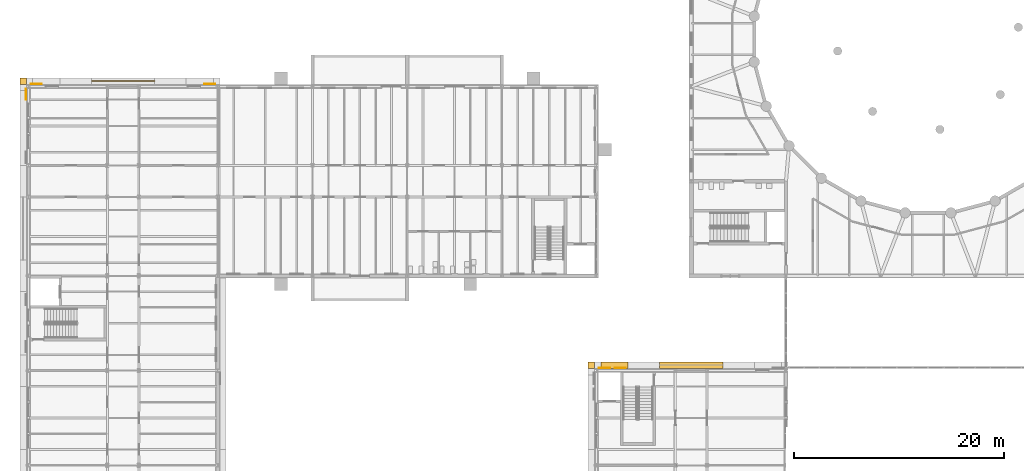
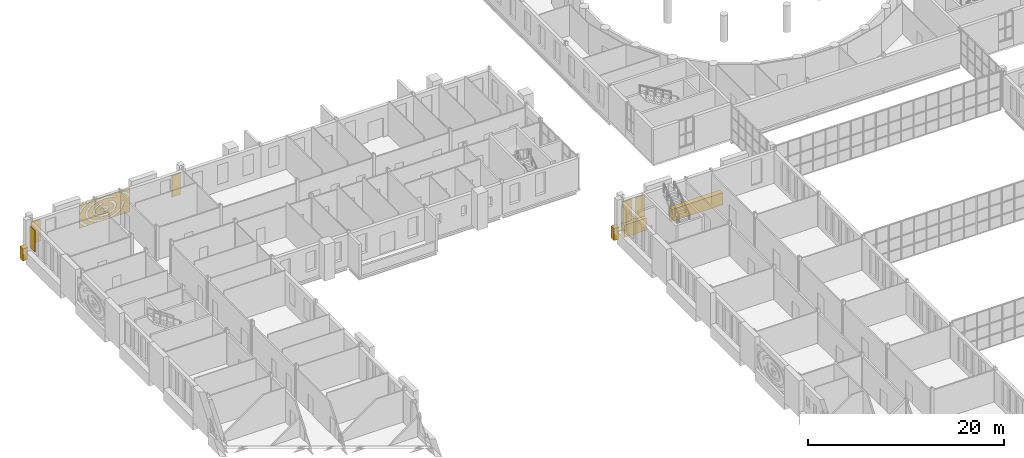
# One storey, part 120 of 134: 10 coverings.
"""IFC4 building model written with IfcOpenShell, lengths in metres."""

from ifc_helpers import new_model, si_unit, direction, frame, origin, place, context, subcontext, project, spatial, polyline, outline, extrude, material, layer, layer_set, type_object, element, save


model = new_model("IFC4")

# Units and contexts
model_context = context("Model", 3, precision=1e-05, world=origin(), true_north=direction((0.0, 1.0)))
body_context = subcontext(model_context, "Body", "Model", "MODEL_VIEW")
ifc_project = project(units=[si_unit("LENGTHUNIT", "METRE"), si_unit("AREAUNIT", "SQUARE_METRE"), si_unit("VOLUMEUNIT", "CUBIC_METRE"), si_unit("PLANEANGLEUNIT", "RADIAN"), si_unit("MASSUNIT", "GRAM", prefix="KILO")], contexts=[model_context])

# Site, building, storey
site_placement = place(None, origin())
site = spatial("IfcSite", under=ifc_project, at=site_placement, CompositionType="ELEMENT")
building_placement = place(site_placement, origin())
building = spatial("IfcBuilding", under=site, at=building_placement, Name="Golden Quay Civic Hall", CompositionType="ELEMENT")
storey_placement = place(building_placement, frame((0.0, 0.0, 5.39990234375)))
storey = spatial("IfcBuildingStorey", under=building, at=storey_placement, Name="L01", CompositionType="ELEMENT", Elevation=5.39990234375)

# Coverings
ifc_material_1 = material(Name="Aluminium, golden anodised, perforated", Category="aluminium")
ifc_layer_1 = layer(ifc_material_1, 0.0400390625)
ifc_layer_set_1 = layer_set([ifc_layer_1], Name="Perforated screen panel 6000 x 3000 x 40")
covering_type_1 = type_object("IfcCoveringType", Name="Perforated screen panel 6000 x 3000 x 40", PredefinedType="CLADDING", material=ifc_layer_set_1)
covering_1_placement = place(storey_placement, frame((9.0, 81.5, 2.10009765625), z_axis=(0.0, 1.0, 0.0), x_axis=(-1.0, 0.0, 0.0)))
element("IfcCovering", 1, at=covering_1_placement, inside=storey, type_object=covering_type_1, Name="Perforated screen panel 6000 x 3000 x 40 L01 4", PredefinedType="CLADDING", context=body_context, shape_type="SweptSolid", body=[
    extrude(outline(polyline([(-3.0, -1.5), (3.0, -1.5), (3.0, 1.5), (-3.0, 1.5), (-3.0, -1.5)]), holes=[polyline([(0.0810546875, 0.0087890625), (0.03125, 0.015380859375), (-0.02001953125, 0.01611328125), (-0.070556640625, 0.0107421875), (-0.1171875, 0.0), (-0.157470703125, -0.014892578125), (-0.201904296875, -0.04150390625), (-0.223876953125, -0.065185546875), (-0.228515625, -0.07470703125), (-0.228271484375, -0.085205078125), (-0.211181640625, -0.10986328125), (-0.17431640625, -0.13671875), (-0.1376953125, -0.1533203125), (-0.093994140625, -0.166259765625), (-0.044921875, -0.17431640625), (0.006103515625, -0.176513671875), (0.05712890625, -0.1728515625), (0.10498046875, -0.16357421875), (0.1474609375, -0.1494140625), (0.1953125, -0.123291015625), (0.215087890625, -0.10595703125), (0.227783203125, -0.087158203125), (0.227783203125, -0.072998046875), (0.2177734375, -0.055908203125), (0.421630859375, 0.072509765625), (0.449951171875, 0.020263671875), (0.4619140625, -0.015380859375), (0.46875, -0.052978515625), (0.469970703125, -0.09130859375), (0.46533203125, -0.12939453125), (0.455322265625, -0.16650390625), (0.440185546875, -0.20166015625), (0.412109375, -0.24560546875), (0.370849609375, -0.29052734375), (0.3330078125, -0.321044921875), (0.277587890625, -0.3544921875), (0.206787109375, -0.38427734375), (0.162109375, -0.397705078125), (0.085205078125, -0.412109375), (0.006103515625, -0.41748046875), (-0.0732421875, -0.41357421875), (-0.151123046875, -0.400146484375), (-0.2177734375, -0.380615234375), (-0.28662109375, -0.349853515625), (-0.326904296875, -0.3251953125), (-0.3759765625, -0.285888671875), (-0.40966796875, -0.248779296875), (-0.441650390625, -0.198486328125), (-0.461181640625, -0.147705078125), (-0.47021484375, -0.089599609375), (-0.466064453125, -0.033447265625), (-0.448974609375, 0.02294921875), (-0.431640625, 0.056884765625), (-0.41015625, 0.088134765625), (-0.37646484375, 0.125244140625), (-0.319091796875, 0.17041015625), (-0.253662109375, 0.2060546875), (-0.18212890625, 0.232177734375), (-0.144775390625, 0.24169921875), (-0.07421875, 0.25341796875), (0.01220703125, 0.25732421875), (0.084228515625, 0.252197265625), (0.123046875, 0.24609375), (0.1982421875, 0.227294921875), (0.13037109375, -0.00390625), (0.0810546875, 0.0087890625)]), polyline([(-0.6474609375, 0.453369140625), (-0.7177734375, 0.421875), (-0.783447265625, 0.387451171875), (-0.84423828125, 0.350341796875), (-0.8994140625, 0.31103515625), (-0.948974609375, 0.27001953125), (-0.992431640625, 0.227294921875), (-1.02978515625, 0.18359375), (-1.061279296875, 0.139404296875), (-1.08642578125, 0.0947265625), (-1.105712890625, 0.050048828125), (-1.119140625, 0.005615234375), (-1.126953125, -0.03857421875), (-1.12939453125, -0.082763671875), (-1.126220703125, -0.126953125), (-1.117919921875, -0.171142578125), (-1.103515625, -0.215576171875), (-1.083740234375, -0.26025390625), (-1.0576171875, -0.3046875), (-1.025634765625, -0.34912109375), (-0.9873046875, -0.392578125), (-0.943115234375, -0.43505859375), (-0.892822265625, -0.47607421875), (-0.8369140625, -0.51513671875), (-0.775634765625, -0.5517578125), (-0.709228515625, -0.5859375), (-0.638427734375, -0.6171875), (-0.5634765625, -0.64501953125), (-0.48486328125, -0.66943359375), (-0.403076171875, -0.690185546875), (-0.318603515625, -0.707275390625), (-0.232177734375, -0.72021484375), (-0.144287109375, -0.72900390625), (-0.055419921875, -0.733642578125), (0.03369140625, -0.734130859375), (0.122802734375, -0.73046875), (0.2109375, -0.72265625), (0.2978515625, -0.710693359375), (0.3828125, -0.694580078125), (0.46533203125, -0.6748046875), (0.544677734375, -0.6513671875), (0.62060546875, -0.624267578125), (0.692626953125, -0.59375), (0.760009765625, -0.560302734375), (0.822509765625, -0.524169921875), (0.8798828125, -0.485595703125), (0.931396484375, -0.4453125), (0.977294921875, -0.403076171875), (1.016845703125, -0.359619140625), (1.050537109375, -0.315673828125), (1.077880859375, -0.27099609375), (1.099365234375, -0.226318359375), (1.114990234375, -0.181884765625), (1.124755859375, -0.1376953125), (1.129150390625, -0.093505859375), (1.1279296875, -0.04931640625), (1.12158203125, -0.005126953125), (1.109619140625, 0.039306640625), (1.091796875, 0.083984375), (1.06787109375, 0.12841796875), (1.0380859375, 0.1728515625), (1.002197265625, 0.216796875), (0.9599609375, 0.259765625), (0.911865234375, 0.30126953125), (0.858154296875, 0.341064453125), (0.798583984375, 0.378662109375), (0.734130859375, 0.413818359375), (0.6650390625, 0.446044921875), (0.59130859375, 0.47509765625), (0.513916015625, 0.5009765625), (0.433349609375, 0.523193359375), (0.349853515625, 0.54150390625), (0.26123046875, 0.556396484375), (0.30126953125, 0.7939453125), (0.392822265625, 0.778564453125), (0.488037109375, 0.7578125), (0.587158203125, 0.73046875), (0.670654296875, 0.70263671875), (0.757080078125, 0.668701171875), (0.83935546875, 0.630615234375), (0.92431640625, 0.584228515625), (0.997802734375, 0.537353515625), (1.05859375, 0.4921875), (1.121337890625, 0.438720703125), (1.177734375, 0.381591796875), (1.23486328125, 0.31201171875), (1.277587890625, 0.2470703125), (1.307373046875, 0.19140625), (1.335693359375, 0.122314453125), (1.35595703125, 0.051025390625), (1.36865234375, -0.0361328125), (1.369384765625, -0.109619140625), (1.361328125, -0.182861328125), (1.344482421875, -0.254638671875), (1.32470703125, -0.31201171875), (1.286376953125, -0.39208984375), (1.245849609375, -0.456787109375), (1.205322265625, -0.510009765625), (1.14404296875, -0.576904296875), (1.083984375, -0.6318359375), (1.025146484375, -0.677978515625), (0.946533203125, -0.730712890625), (0.870361328125, -0.7744140625), (0.79638671875, -0.811279296875), (0.704833984375, -0.849853515625), (0.616455078125, -0.88134765625), (0.524658203125, -0.908203125), (0.430419921875, -0.930908203125), (0.339599609375, -0.947998046875), (0.2353515625, -0.96240234375), (0.135498046875, -0.97119140625), (0.035400390625, -0.97509765625), (-0.0595703125, -0.974609375), (-0.159912109375, -0.969482421875), (-0.264892578125, -0.958740234375), (-0.357421875, -0.945068359375), (-0.453369140625, -0.92578125), (-0.55322265625, -0.900390625), (-0.63818359375, -0.8740234375), (-0.725830078125, -0.841796875), (-0.809814453125, -0.804931640625), (-0.889404296875, -0.764404296875), (-0.96435546875, -0.719482421875), (-1.034423828125, -0.6708984375), (-1.09912109375, -0.618896484375), (-1.15771484375, -0.56298828125), (-1.21728515625, -0.4951171875), (-1.2626953125, -0.431396484375), (-1.30078125, -0.364501953125), (-1.326416015625, -0.307861328125), (-1.349609375, -0.2373046875), (-1.3662109375, -0.150634765625), (-1.3701171875, -0.091796875), (-1.3671875, -0.018310546875), (-1.351806640625, 0.068603515625), (-1.32958984375, 0.13916015625), (-1.29931640625, 0.20751953125), (-1.261474609375, 0.2734375), (-1.223388671875, 0.327392578125), (-1.171875, 0.38818359375), (-1.114013671875, 0.445556640625), (-1.042724609375, 0.504638671875), (-0.973388671875, 0.5537109375), (-0.89892578125, 0.598876953125), (-0.81982421875, 0.64013671875), (-0.736328125, 0.67724609375), (-0.649169921875, 0.710205078125), (-0.564697265625, 0.7373046875), (-0.49169921875, 0.507568359375), (-0.572998046875, 0.481689453125), (-0.6474609375, 0.453369140625)]), polyline([(-2.023193359375, 0.012939453125), (-2.029052734375, -0.059814453125), (-2.02734375, -0.13232421875), (-2.018310546875, -0.205078125), (-2.001708984375, -0.277587890625), (-1.977294921875, -0.349853515625), (-1.9453125, -0.421875), (-1.905517578125, -0.492919921875), (-1.85791015625, -0.563232421875), (-1.802734375, -0.632080078125), (-1.739990234375, -0.69921875), (-1.669921875, -0.764404296875), (-1.592529296875, -0.8271484375), (-1.50830078125, -0.886962890625), (-1.417724609375, -0.94384765625), (-1.32080078125, -0.997314453125), (-1.218017578125, -1.046875), (-1.110107421875, -1.092529296875), (-0.997314453125, -1.1337890625), (-0.88037109375, -1.1708984375), (-0.759521484375, -1.203125), (-0.635009765625, -1.230712890625), (-0.508056640625, -1.25341796875), (-0.37890625, -1.27099609375), (-0.248046875, -1.283203125), (-0.115966796875, -1.29052734375), (0.0166015625, -1.29248046875), (0.14892578125, -1.289306640625), (0.280517578125, -1.28076171875), (0.4111328125, -1.26708984375), (0.539794921875, -1.248291015625), (0.666259765625, -1.224365234375), (0.789794921875, -1.195556640625), (0.909912109375, -1.162109375), (1.02587890625, -1.1240234375), (1.137451171875, -1.08154296875), (1.244140625, -1.034912109375), (1.345458984375, -0.984130859375), (1.44091796875, -0.929931640625), (1.52978515625, -0.872314453125), (1.6123046875, -0.811767578125), (1.68798828125, -0.748291015625), (1.75634765625, -0.6826171875), (1.817138671875, -0.614990234375), (1.87060546875, -0.5458984375), (1.916015625, -0.475341796875), (1.953857421875, -0.404052734375), (1.98388671875, -0.33203125), (2.00634765625, -0.259521484375), (2.021240234375, -0.18701171875), (2.028564453125, -0.1142578125), (2.0283203125, -0.04150390625), (2.0205078125, 0.031005859375), (2.00537109375, 0.103759765625), (1.982421875, 0.176025390625), (1.951904296875, 0.248046875), (1.913818359375, 0.3193359375), (1.86767578125, 0.389892578125), (1.81396484375, 0.458984375), (1.752685546875, 0.5263671875), (1.683837890625, 0.592041015625), (1.60791015625, 0.6552734375), (1.525146484375, 0.7158203125), (1.435546875, 0.773193359375), (1.33984375, 0.8271484375), (1.23828125, 0.87744140625), (1.13134765625, 0.924072265625), (1.01953125, 0.96630859375), (0.9033203125, 1.004150390625), (0.782958984375, 1.037353515625), (0.6591796875, 1.06591796875), (0.53271484375, 1.08935546875), (0.40380859375, 1.10791015625), (0.273193359375, 1.121337890625), (0.1416015625, 1.12939453125), (0.009033203125, 1.132568359375), (-0.123291015625, 1.130126953125), (-0.25537109375, 1.122802734375), (-0.385986328125, 1.110107421875), (-0.515380859375, 1.09228515625), (-0.64208984375, 1.0693359375), (-0.76611328125, 1.04150390625), (-0.886962890625, 1.0087890625), (-1.00390625, 0.9716796875), (-1.116455078125, 0.929931640625), (-1.22412109375, 0.884033203125), (-1.3291015625, 0.8330078125), (-1.434814453125, 1.04931640625), (-1.3212890625, 1.1044921875), (-1.208251953125, 1.15283203125), (-1.07958984375, 1.200439453125), (-0.952392578125, 1.24072265625), (-0.821533203125, 1.27587890625), (-0.6923828125, 1.304931640625), (-0.55078125, 1.33056640625), (-0.411865234375, 1.349609375), (-0.276123046875, 1.36279296875), (-0.1298828125, 1.37109375), (0.00732421875, 1.373291015625), (0.1494140625, 1.370361328125), (0.290771484375, 1.361572265625), (0.430908203125, 1.347412109375), (0.574462890625, 1.32666015625), (0.705810546875, 1.30224609375), (0.839599609375, 1.271484375), (0.97509765625, 1.23388671875), (1.0966796875, 1.194580078125), (1.21923828125, 1.148193359375), (1.3427734375, 1.0947265625), (1.449951171875, 1.04150390625), (1.556884765625, 0.981201171875), (1.664306640625, 0.912353515625), (1.753173828125, 0.847412109375), (1.841064453125, 0.774658203125), (1.927978515625, 0.691650390625), (1.99560546875, 0.617431640625), (2.06103515625, 0.53369140625), (2.12353515625, 0.437744140625), (2.1669921875, 0.357177734375), (2.20654296875, 0.264892578125), (2.239990234375, 0.158935546875), (2.257568359375, 0.07470703125), (2.2685546875, -0.0224609375), (2.26953125, -0.119873046875), (2.258544921875, -0.229248046875), (2.23828125, -0.3251953125), (2.20849609375, -0.419677734375), (2.169189453125, -0.511962890625), (2.12109375, -0.601806640625), (2.064453125, -0.68896484375), (1.999267578125, -0.772705078125), (1.926513671875, -0.853515625), (1.845947265625, -0.930419921875), (1.75830078125, -1.003662109375), (1.669677734375, -1.068603515625), (1.568603515625, -1.134033203125), (1.461669921875, -1.1953125), (1.34912109375, -1.251708984375), (1.2314453125, -1.303466796875), (1.10888671875, -1.35009765625), (0.982421875, -1.391845703125), (0.802490234375, -1.43994140625), (-0.80419921875, -1.43994140625), (-0.9501953125, -1.4013671875), (-1.072509765625, -1.36279296875), (-1.196044921875, -1.317626953125), (-1.3203125, -1.264892578125), (-1.4287109375, -1.212646484375), (-1.536865234375, -1.153076171875), (-1.645263671875, -1.085205078125), (-1.7353515625, -1.02099609375), (-1.82470703125, -0.948974609375), (-1.9130859375, -0.86669921875), (-1.98779296875, -0.786376953125), (-2.049072265625, -0.7099609375), (-2.10791015625, -0.623779296875), (-2.1630859375, -0.52490234375), (-2.19970703125, -0.44287109375), (-2.231689453125, -0.348876953125), (-2.25439453125, -0.253173828125), (-2.26806640625, -0.14404296875), (-2.269775390625, -0.046630859375), (-2.26123046875, 0.050537109375), (-2.242919921875, 0.146728515625), (-2.21875, 0.230712890625), (-1.9873046875, 0.163818359375), (-2.010009765625, 0.085693359375), (-2.023193359375, 0.012939453125)]), polyline([(-2.008056640625, -1.365478515625), (-1.868408203125, -1.43994140625), (-2.34033203125, -1.43994140625), (-2.369140625, -1.42041015625), (-2.234619140625, -1.220703125), (-2.123291015625, -1.2958984375), (-2.008056640625, -1.365478515625)]), polyline([(1.86865234375, -1.43994140625), (2.0029296875, -1.368408203125), (2.118408203125, -1.298828125), (2.227294921875, -1.225830078125), (2.3291015625, -1.1494140625), (2.423583984375, -1.06982421875), (2.510498046875, -0.98779296875), (2.589599609375, -0.9033203125), (2.660400390625, -0.816650390625), (2.723388671875, -0.728271484375), (2.77783203125, -0.63818359375), (2.823974609375, -0.54736328125), (2.86181640625, -0.455322265625), (2.89111328125, -0.36279296875), (2.912353515625, -0.269775390625), (2.925048828125, -0.176513671875), (2.929443359375, -0.0830078125), (2.925537109375, 0.010498046875), (2.913330078125, 0.10400390625), (2.892822265625, 0.197021484375), (2.864013671875, 0.28955078125), (2.82666015625, 0.381591796875), (2.781005859375, 0.47265625), (2.726806640625, 0.5625), (2.66455078125, 0.651123046875), (2.593994140625, 0.73779296875), (2.515625, 0.822509765625), (2.42919921875, 0.90478515625), (2.335205078125, 0.984619140625), (2.23388671875, 1.06103515625), (2.12548828125, 1.134521484375), (2.01025390625, 1.2041015625), (1.888671875, 1.27001953125), (1.760986328125, 1.331787109375), (1.6279296875, 1.389404296875), (1.495849609375, 1.43994140625), (2.080810546875, 1.43994140625), (2.252685546875, 1.339111328125), (2.371337890625, 1.2587890625), (2.483154296875, 1.1748046875), (2.587646484375, 1.08642578125), (2.6845703125, 0.994384765625), (2.778564453125, 0.892822265625), (2.859130859375, 0.793212890625), (2.93994140625, 0.67578125), (2.93994140625, -0.83544921875), (2.849365234375, -0.966064453125), (2.76806640625, -1.064697265625), (2.683837890625, -1.155029296875), (2.586669921875, -1.247314453125), (2.481689453125, -1.3359375), (2.34033203125, -1.43994140625), (1.86865234375, -1.43994140625)]), polyline([(-1.616943359375, 1.393798828125), (-1.75048828125, 1.336669921875), (-1.878662109375, 1.275146484375), (-2.00048828125, 1.209716796875), (-2.1162109375, 1.14013671875), (-2.225341796875, 1.067138671875), (-2.327392578125, 0.99072265625), (-2.421875, 0.911376953125), (-2.5087890625, 0.829345703125), (-2.588134765625, 0.744873046875), (-2.6591796875, 0.658203125), (-2.72216796875, 0.56982421875), (-2.77685546875, 0.47998046875), (-2.8232421875, 0.388916015625), (-2.861083984375, 0.297119140625), (-2.890625, 0.20458984375), (-2.912109375, 0.111328125), (-2.9248046875, 0.01806640625), (-2.929443359375, -0.075439453125), (-2.925537109375, -0.17431640625), (-2.93994140625, -0.1748046875), (-2.93994140625, 0.67529296875), (-2.85302734375, 0.801513671875), (-2.771728515625, 0.90087890625), (-2.677001953125, 1.001953125), (-2.579345703125, 1.09375), (-2.474365234375, 1.181640625), (-2.362060546875, 1.265380859375), (-2.247802734375, 1.342041015625), (-2.080810546875, 1.43994140625), (-1.4951171875, 1.43994140625), (-1.616943359375, 1.393798828125)])]), origin(), (0.0, 0.0, 1.0), 0.0400390625),
])
ifc_material_2 = material(Name="Terracotta cladding, golden glaze", Category="masonry")
ifc_layer_2 = layer(ifc_material_2, 0.050048828125)
ifc_layer_set_2 = layer_set([ifc_layer_2], Name="Terracotta solid panel 1050 x 2700 x 50")
covering_type_2 = type_object("IfcCoveringType", Name="Terracotta solid panel 1050 x 2700 x 50", PredefinedType="CLADDING", material=ifc_layer_set_2)
covering_2_placement = place(storey_placement, frame((0.0, 0.0, 0.900146484375)))
element("IfcCovering", 2, at=covering_2_placement, inside=storey, type_object=covering_type_2, Name="Terracotta solid panel 1050 x 2700 x 50 L01 7", PredefinedType="CLADDING", context=body_context, shape_type="SweptSolid", body=[
    extrude(outline(polyline([(-0.199951171875, 79.72509765625), (-0.199951171875, 80.77490234375), (-0.25, 80.77490234375), (-0.25, 79.72509765625), (-0.199951171875, 79.72509765625)])), origin(), (0.0, 0.0, 1.0), 2.699951171875),
])
covering_3_placement = place(storey_placement, frame((0.0, 0.0, 0.900146484375)))
element("IfcCovering", 3, at=covering_3_placement, inside=storey, type_object=covering_type_2, Name="Terracotta solid panel 1050 x 2700 x 50 L01 8", PredefinedType="CLADDING", context=body_context, shape_type="SweptSolid", body=[
    extrude(outline(polyline([(0.22509765625, 81.199951171875), (1.27490234375, 81.199951171875), (1.27490234375, 81.25), (0.22509765625, 81.25), (0.22509765625, 81.199951171875)])), origin(), (0.0, 0.0, 1.0), 2.699951171875),
])
covering_4_placement = place(storey_placement, frame((0.0, 0.0, 0.900146484375)))
element("IfcCovering", 4, at=covering_4_placement, inside=storey, type_object=covering_type_2, Name="Terracotta solid panel 1050 x 2700 x 50 L01 9", PredefinedType="CLADDING", context=body_context, shape_type="SweptSolid", body=[
    extrude(outline(polyline([(16.72509765625, 81.199951171875), (17.77490234375, 81.199951171875), (17.77490234375, 81.25), (16.72509765625, 81.25), (16.72509765625, 81.199951171875)])), origin(), (0.0, 0.0, 1.0), 2.699951171875),
])
covering_5_placement = place(storey_placement, frame((0.0, 0.0, 0.900146484375)))
element("IfcCovering", 5, at=covering_5_placement, inside=storey, type_object=covering_type_2, Name="Terracotta solid panel 1050 x 2700 x 50 L01 20", PredefinedType="CLADDING", context=body_context, shape_type="SweptSolid", body=[
    extrude(outline(polyline([(54.22509765625, 54.199951171875), (55.27490234375, 54.199951171875), (55.27490234375, 54.25), (54.22509765625, 54.25), (54.22509765625, 54.199951171875)])), origin(), (0.0, 0.0, 1.0), 2.699951171875),
])
covering_6_placement = place(storey_placement, frame((0.0, 0.0, 0.900146484375)))
element("IfcCovering", 6, at=covering_6_placement, inside=storey, type_object=covering_type_2, Name="Terracotta solid panel 1050 x 2700 x 50 L01 21", PredefinedType="CLADDING", context=body_context, shape_type="SweptSolid", body=[
    extrude(outline(polyline([(55.72509765625, 54.199951171875), (56.77490234375, 54.199951171875), (56.77490234375, 54.25), (55.72509765625, 54.25), (55.72509765625, 54.199951171875)])), origin(), (0.0, 0.0, 1.0), 2.699951171875),
])
ifc_material_3 = material(Name="Terracotta cladding, golden glaze", Category="masonry")
covering_type_3 = type_object("IfcCoveringType", Name="Terracotta spandrel fascia 600 x 1500", PredefinedType="CLADDING", material=ifc_material_3)
covering_7_placement = place(storey_placement, frame((0.0, 0.0, -0.89990234375)))
element("IfcCovering", 7, at=covering_7_placement, inside=storey, type_object=covering_type_3, Name="Terracotta spandrel fascia 600 x 1500 L01 1", PredefinedType="CLADDING", context=body_context, shape_type="SweptSolid", body=[
    extrude(outline(polyline([(-0.199951171875, 81.800048828125), (-0.199951171875, 81.199951171875), (-0.800048828125, 81.199951171875), (-0.800048828125, 81.800048828125), (-0.199951171875, 81.800048828125)])), origin(), (0.0, 0.0, 1.0), 1.5),
])
covering_8_placement = place(storey_placement, frame((0.0, 0.0, -0.89990234375)))
element("IfcCovering", 8, at=covering_8_placement, inside=storey, type_object=covering_type_3, Name="Terracotta spandrel fascia 600 x 1500 L01 8", PredefinedType="CLADDING", context=body_context, shape_type="SweptSolid", body=[
    extrude(outline(polyline([(53.800048828125, 54.199951171875), (53.199951171875, 54.199951171875), (53.199951171875, 54.800048828125), (53.800048828125, 54.800048828125), (53.800048828125, 54.199951171875)])), origin(), (0.0, 0.0, 1.0), 1.5),
])
covering_9_placement = place(storey_placement, frame((0.0, 0.0, -0.89990234375)))
element("IfcCovering", 9, at=covering_9_placement, inside=storey, type_object=covering_type_3, Name="Terracotta spandrel fascia 600 x 1500 L01 9", PredefinedType="CLADDING", context=body_context, shape_type="SweptSolid", body=[
    extrude(outline(polyline([(57.0, 54.199951171875), (54.39990234375, 54.199951171875), (54.39990234375, 54.800048828125), (57.0, 54.800048828125), (57.0, 54.199951171875)])), origin(), (0.0, 0.0, 1.0), 1.5),
])
covering_10_placement = place(storey_placement, frame((0.0, 0.0, -0.89990234375)))
element("IfcCovering", 10, at=covering_10_placement, inside=storey, type_object=covering_type_3, Name="Terracotta spandrel fascia 600 x 1500 L01 10", PredefinedType="CLADDING", context=body_context, shape_type="SweptSolid", body=[
    extrude(outline(polyline([(66.0, 54.800048828125), (66.0, 54.199951171875), (60.0, 54.199951171875), (60.0, 54.800048828125), (66.0, 54.800048828125)])), origin(), (0.0, 0.0, 1.0), 1.5),
])

save(model, "model.ifc")
